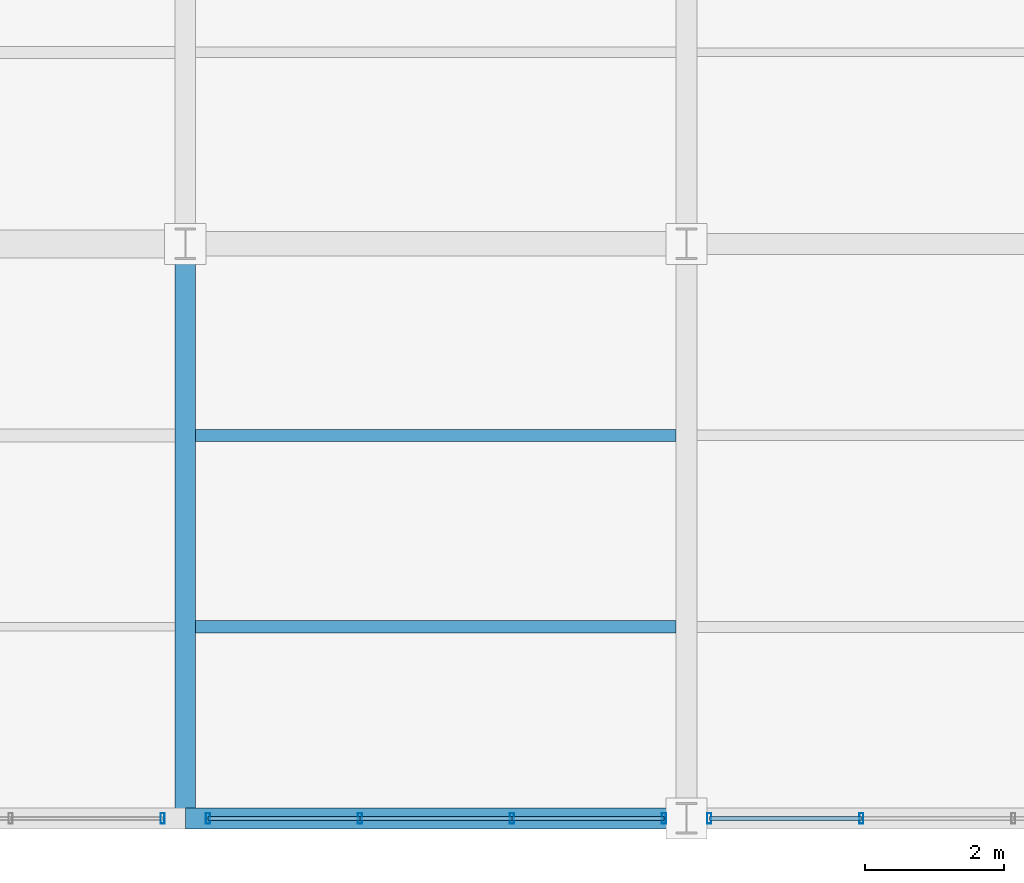
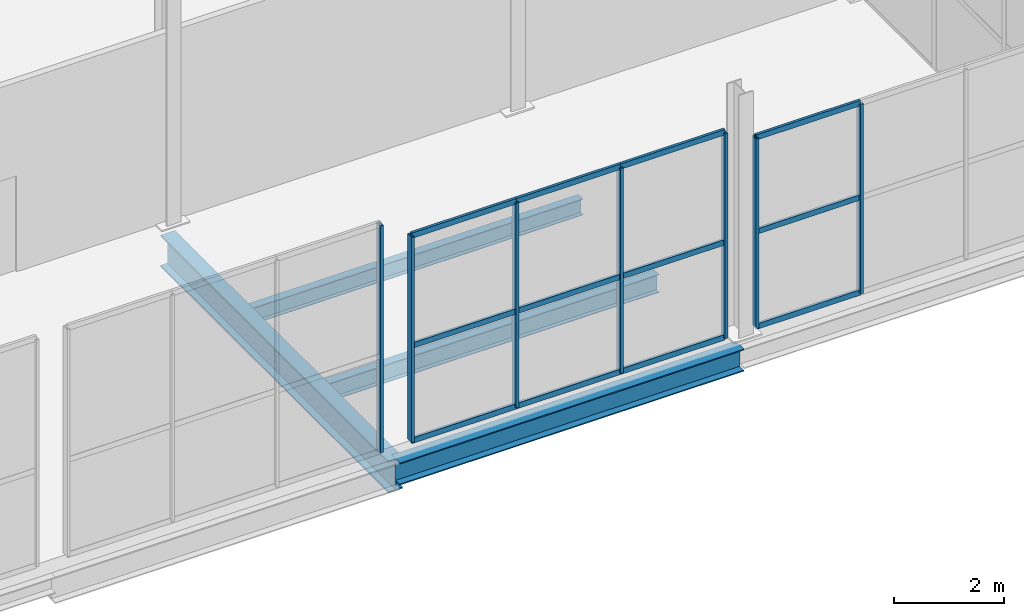
# One storey, part 79 of 147: 19 members, 4 beams, 3 elements without a shape of their own.
"""IFC4 building model written with IfcOpenShell, lengths in metres."""

from ifc_helpers import new_model, si_unit, direction, frame, origin, origin_2d, place, context, subcontext, project, spatial, hollow_rectangle, i_section, extrude, material, layer, layer_set, material_profile, profile_set, type_object, element, aggregate, save


model = new_model("IFC4")

# Units and contexts
model_context = context("Model", 3, precision=1e-05, world=origin(), true_north=direction((0.0, 1.0)))
body_context = subcontext(model_context, "Body", "Model", "MODEL_VIEW")
ifc_project = project(units=[si_unit("LENGTHUNIT", "METRE"), si_unit("AREAUNIT", "SQUARE_METRE"), si_unit("VOLUMEUNIT", "CUBIC_METRE"), si_unit("PLANEANGLEUNIT", "RADIAN"), si_unit("MASSUNIT", "GRAM", prefix="KILO")], contexts=[model_context])

# Site, building, storey
site_placement = place(None, origin())
site = spatial("IfcSite", under=ifc_project, at=site_placement, CompositionType="ELEMENT")
building_placement = place(site_placement, origin())
building = spatial("IfcBuilding", under=site, at=building_placement, Name="Sundgate Opera House", CompositionType="ELEMENT")
storey_placement = place(building_placement, frame((0.0, 0.0, 6.0)))
storey = spatial("IfcBuildingStorey", under=building, at=storey_placement, Name="L01", CompositionType="ELEMENT", Elevation=6.0)

# Beams
ifc_material_1 = material(Name="Steel S355J2", Category="steel")
ifc_material_profile_1 = material_profile(ifc_material_1, i_section(OverallWidth=0.300048828125, OverallDepth=0.489990234375, WebThickness=0.011962890625, FlangeThickness=0.02294921875, at=origin_2d()), Name="HEA 500")
ifc_profile_set_1 = profile_set([ifc_material_profile_1], Name="Steel S355J2")
beam_type_1 = type_object("IfcBeamType", Name="BM-GR-HEA500", PredefinedType="BEAM", material=ifc_profile_set_1)
beam_1_placement = place(storey_placement, frame((145.800048828125, 0.0, -0.544921875), z_axis=(1.0, 0.0, 0.0), x_axis=(0.0, 1.0, 0.0)))
element("IfcBeam", 1, at=beam_1_placement, inside=storey, type_object=beam_type_1, Name="L01 Primary E-W Girder B1279", PredefinedType="BEAM", context=body_context, shape_type="SweptSolid", body=[
    extrude(i_section(OverallWidth=0.300048828125, OverallDepth=0.489990234375, WebThickness=0.011962890625, FlangeThickness=0.02294921875, at=origin_2d()), origin(), (0.0, 0.0, 1.0), 7.199951171875),
])
ifc_material_2 = material(Name="Steel S355J2", Category="steel")
ifc_material_profile_2 = material_profile(ifc_material_2, i_section(OverallWidth=0.300048828125, OverallDepth=0.699951171875, WebThickness=0.01708984375, FlangeThickness=0.031982421875, at=origin_2d()), Name="HEB 700")
ifc_profile_set_2 = profile_set([ifc_material_profile_2], Name="Steel S355J2")
beam_type_2 = type_object("IfcBeamType", Name="BM-GR-HEB700", PredefinedType="BEAM", material=ifc_profile_set_2)
beam_2_placement = place(storey_placement, frame((145.800048828125, 0.0, -0.64990234375), z_axis=(0.0, 1.0, 0.0), x_axis=(-1.0, 0.0, 0.0)))
element("IfcBeam", 2, at=beam_2_placement, inside=storey, type_object=beam_type_2, Name="L01 Primary N-S Girder B1226", PredefinedType="BEAM", context=body_context, shape_type="SweptSolid", body=[
    extrude(i_section(OverallWidth=0.300048828125, OverallDepth=0.699951171875, WebThickness=0.01708984375, FlangeThickness=0.031982421875, at=origin_2d()), origin(), (0.0, 0.0, 1.0), 8.25),
])
ifc_material_3 = material(Name="Steel S355J2", Category="steel")
ifc_material_profile_3 = material_profile(ifc_material_3, i_section(OverallWidth=0.169921875, OverallDepth=0.360107421875, WebThickness=0.008056640625, FlangeThickness=0.0126953125, at=origin_2d()), Name="IPE 360")
ifc_profile_set_3 = profile_set([ifc_material_profile_3], Name="Steel S355J2")
beam_type_3 = type_object("IfcBeamType", Name="BM-JS-IPE360", PredefinedType="JOIST", material=ifc_profile_set_3)
beam_3_placement = place(storey_placement, frame((145.949951171875, 5.5, -0.47998046875), z_axis=(1.0, 0.0, 0.0), x_axis=(0.0, 1.0, 0.0)))
element("IfcBeam", 3, at=beam_3_placement, inside=storey, type_object=beam_type_3, Name="L01 Secondary Floor Joist B1493", PredefinedType="JOIST", context=body_context, shape_type="SweptSolid", body=[
    extrude(i_section(OverallWidth=0.169921875, OverallDepth=0.360107421875, WebThickness=0.008056640625, FlangeThickness=0.0126953125, at=origin_2d()), origin(), (0.0, 0.0, 1.0), 6.900146484375),
])
ifc_material_4 = material(Name="Steel S355J2", Category="steel")
ifc_material_profile_4 = material_profile(ifc_material_4, i_section(OverallWidth=0.179931640625, OverallDepth=0.39990234375, WebThickness=0.008544921875, FlangeThickness=0.013427734375, at=origin_2d()), Name="IPE 400")
ifc_profile_set_4 = profile_set([ifc_material_profile_4], Name="Steel S355J2")
beam_type_4 = type_object("IfcBeamType", Name="BM-JS-IPE400", PredefinedType="JOIST", material=ifc_profile_set_4)
beam_4_placement = place(storey_placement, frame((145.949951171875, 2.75, -0.5), z_axis=(1.0, 0.0, 0.0), x_axis=(0.0, 1.0, 0.0)))
element("IfcBeam", 4, at=beam_4_placement, inside=storey, type_object=beam_type_4, Name="L01 Secondary Floor Joist B1492", PredefinedType="JOIST", context=body_context, shape_type="SweptSolid", body=[
    extrude(i_section(OverallWidth=0.179931640625, OverallDepth=0.39990234375, WebThickness=0.008544921875, FlangeThickness=0.013427734375, at=origin_2d()), origin(), (0.0, 0.0, 1.0), 6.900146484375),
])

# Curtain wall, member
ifc_material_5 = material(Name="Anodized aluminium and low-iron glass", Category="aluminium")
ifc_layer = layer(ifc_material_5, 0.14990234375)
ifc_layer_set = layer_set([ifc_layer], Name="Anodized aluminium and low-iron glass")
curtain_wall_type = type_object("IfcCurtainWallType", Name="CW-WORKSHOP-DARK", PredefinedType="NOTDEFINED", material=ifc_layer_set)
curtain_wall_1_placement = place(storey_placement, origin())
curtain_wall_1 = element("IfcCurtainWall", 5, at=curtain_wall_1_placement, inside=storey, type_object=curtain_wall_type, Name="L01 Curtain Wall CW141", PredefinedType="NOTDEFINED")
ifc_material_6 = material(Name="Anodized aluminium EN AW-6063", Category="aluminium")
ifc_material_profile_5 = material_profile(ifc_material_6, hollow_rectangle(XDim=0.06005859375, YDim=0.14990234375, WallThickness=0.00390625, at=origin_2d()), Name="CWM 150x60x4")
ifc_profile_set_5 = profile_set([ifc_material_profile_5], Name="Anodized aluminium EN AW-6063")
member_type_1 = type_object("IfcMemberType", Name="CWM-ALU-150x60", PredefinedType="MULLION", material=ifc_profile_set_5)
member_1_placement = place(storey_placement, frame((145.47509765625, 0.0, 0.0), z_axis=(0.0, 0.0, 1.0), x_axis=(1.0, 0.0, 0.0)))
member_1 = element("IfcMember", 6, at=member_1_placement, type_object=member_type_1, Name="CW141 Mullion 1", PredefinedType="MULLION", context=body_context, shape_type="SweptSolid", body=[
    extrude(hollow_rectangle(XDim=0.06005859375, YDim=0.14990234375, WallThickness=0.00390625, at=origin_2d()), origin(), (0.0, 0.0, 1.0), 5.014892578125),
])
aggregate(curtain_wall_1, [member_1])

# Curtain wall, members
curtain_wall_2_placement = place(storey_placement, origin())
curtain_wall_2 = element("IfcCurtainWall", 7, at=curtain_wall_2_placement, inside=storey, type_object=curtain_wall_type, Name="L01 Curtain Wall CW142", PredefinedType="NOTDEFINED")
member_2_placement = place(storey_placement, frame((152.675048828125, 0.0, 0.0), z_axis=(0.0, 0.0, 1.0), x_axis=(1.0, 0.0, 0.0)))
member_2 = element("IfcMember", 8, at=member_2_placement, type_object=member_type_1, Name="CW142 Mullion 1", PredefinedType="MULLION", context=body_context, shape_type="SweptSolid", body=[
    extrude(hollow_rectangle(XDim=0.06005859375, YDim=0.14990234375, WallThickness=0.00390625, at=origin_2d()), origin(), (0.0, 0.0, 1.0), 4.534912109375),
])
member_3_placement = place(storey_placement, frame((150.49169921875, 0.0, 0.0), z_axis=(0.0, 0.0, 1.0), x_axis=(1.0, 0.0, 0.0)))
member_3 = element("IfcMember", 9, at=member_3_placement, type_object=member_type_1, Name="CW142 Mullion 2", PredefinedType="MULLION", context=body_context, shape_type="SweptSolid", body=[
    extrude(hollow_rectangle(XDim=0.06005859375, YDim=0.14990234375, WallThickness=0.00390625, at=origin_2d()), origin(), (0.0, 0.0, 1.0), 4.534912109375),
])
member_4_placement = place(storey_placement, frame((148.308349609375, 0.0, 0.0), z_axis=(0.0, 0.0, 1.0), x_axis=(1.0, 0.0, 0.0)))
member_4 = element("IfcMember", 10, at=member_4_placement, type_object=member_type_1, Name="CW142 Mullion 3", PredefinedType="MULLION", context=body_context, shape_type="SweptSolid", body=[
    extrude(hollow_rectangle(XDim=0.06005859375, YDim=0.14990234375, WallThickness=0.00390625, at=origin_2d()), origin(), (0.0, 0.0, 1.0), 4.534912109375),
])
member_5_placement = place(storey_placement, frame((146.125, 0.0, 0.0), z_axis=(0.0, 0.0, 1.0), x_axis=(1.0, 0.0, 0.0)))
member_5 = element("IfcMember", 11, at=member_5_placement, type_object=member_type_1, Name="CW142 Mullion 4", PredefinedType="MULLION", context=body_context, shape_type="SweptSolid", body=[
    extrude(hollow_rectangle(XDim=0.06005859375, YDim=0.14990234375, WallThickness=0.00390625, at=origin_2d()), origin(), (0.0, 0.0, 1.0), 4.534912109375),
])

curtain_wall_3_placement = place(storey_placement, origin())
curtain_wall_3 = element("IfcCurtainWall", 12, at=curtain_wall_3_placement, inside=storey, type_object=curtain_wall_type, Name="L01 Curtain Wall CW143", PredefinedType="NOTDEFINED")
member_6_placement = place(storey_placement, frame((155.50830078125, 0.0, 0.0), z_axis=(0.0, 0.0, 1.0), x_axis=(1.0, 0.0, 0.0)))
member_6 = element("IfcMember", 13, at=member_6_placement, type_object=member_type_1, Name="CW143 Mullion 3", PredefinedType="MULLION", context=body_context, shape_type="SweptSolid", body=[
    extrude(hollow_rectangle(XDim=0.06005859375, YDim=0.14990234375, WallThickness=0.00390625, at=origin_2d()), origin(), (0.0, 0.0, 1.0), 4.18505859375),
])
member_7_placement = place(storey_placement, frame((153.324951171875, 0.0, 0.0), z_axis=(0.0, 0.0, 1.0), x_axis=(1.0, 0.0, 0.0)))
member_7 = element("IfcMember", 14, at=member_7_placement, type_object=member_type_1, Name="CW143 Mullion 4", PredefinedType="MULLION", context=body_context, shape_type="SweptSolid", body=[
    extrude(hollow_rectangle(XDim=0.06005859375, YDim=0.14990234375, WallThickness=0.00390625, at=origin_2d()), origin(), (0.0, 0.0, 1.0), 4.18505859375),
])

# Member
ifc_material_7 = material(Name="Anodized aluminium EN AW-6063", Category="aluminium")
ifc_material_profile_6 = material_profile(ifc_material_7, hollow_rectangle(XDim=0.054931640625, YDim=0.1201171875, WallThickness=0.00390625, at=origin_2d()), Name="CWT 120x55x4")
ifc_profile_set_6 = profile_set([ifc_material_profile_6], Name="Anodized aluminium EN AW-6063")
member_type_2 = type_object("IfcMemberType", Name="CWT-ALU-120x55", PredefinedType="USERDEFINED", material=ifc_profile_set_6)
member_8_placement = place(storey_placement, frame((152.675048828125, 0.0, 0.0), z_axis=(-1.0, 0.0, 0.0), x_axis=(0.0, -1.0, 0.0)))
member_8 = element("IfcMember", 15, at=member_8_placement, type_object=member_type_2, Name="CW142 Transom 1", ObjectType="TRANSOM", PredefinedType="USERDEFINED", context=body_context, shape_type="SweptSolid", body=[
    extrude(hollow_rectangle(XDim=0.054931640625, YDim=0.1201171875, WallThickness=0.00390625, at=origin_2d()), origin(), (0.0, 0.0, 1.0), 2.183349609375),
])

member_9_placement = place(storey_placement, frame((152.675048828125, 0.0, 2.10009765625), z_axis=(-1.0, 0.0, 0.0), x_axis=(0.0, -1.0, 0.0)))
member_9 = element("IfcMember", 16, at=member_9_placement, type_object=member_type_2, Name="CW142 Transom 2", ObjectType="TRANSOM", PredefinedType="USERDEFINED", context=body_context, shape_type="SweptSolid", body=[
    extrude(hollow_rectangle(XDim=0.054931640625, YDim=0.1201171875, WallThickness=0.00390625, at=origin_2d()), origin(), (0.0, 0.0, 1.0), 2.183349609375),
])

member_10_placement = place(storey_placement, frame((152.675048828125, 0.0, 4.534912109375), z_axis=(-1.0, 0.0, 0.0), x_axis=(0.0, -1.0, 0.0)))
member_10 = element("IfcMember", 17, at=member_10_placement, type_object=member_type_2, Name="CW142 Transom 3", ObjectType="TRANSOM", PredefinedType="USERDEFINED", context=body_context, shape_type="SweptSolid", body=[
    extrude(hollow_rectangle(XDim=0.054931640625, YDim=0.1201171875, WallThickness=0.00390625, at=origin_2d()), origin(), (0.0, 0.0, 1.0), 2.183349609375),
])

member_11_placement = place(storey_placement, frame((150.49169921875, 0.0, 0.0), z_axis=(-1.0, 0.0, 0.0), x_axis=(0.0, -1.0, 0.0)))
member_11 = element("IfcMember", 18, at=member_11_placement, type_object=member_type_2, Name="CW142 Transom 4", ObjectType="TRANSOM", PredefinedType="USERDEFINED", context=body_context, shape_type="SweptSolid", body=[
    extrude(hollow_rectangle(XDim=0.054931640625, YDim=0.1201171875, WallThickness=0.00390625, at=origin_2d()), origin(), (0.0, 0.0, 1.0), 2.183349609375),
])

member_12_placement = place(storey_placement, frame((150.49169921875, 0.0, 2.10009765625), z_axis=(-1.0, 0.0, 0.0), x_axis=(0.0, -1.0, 0.0)))
member_12 = element("IfcMember", 19, at=member_12_placement, type_object=member_type_2, Name="CW142 Transom 5", ObjectType="TRANSOM", PredefinedType="USERDEFINED", context=body_context, shape_type="SweptSolid", body=[
    extrude(hollow_rectangle(XDim=0.054931640625, YDim=0.1201171875, WallThickness=0.00390625, at=origin_2d()), origin(), (0.0, 0.0, 1.0), 2.183349609375),
])

member_13_placement = place(storey_placement, frame((150.49169921875, 0.0, 4.534912109375), z_axis=(-1.0, 0.0, 0.0), x_axis=(0.0, -1.0, 0.0)))
member_13 = element("IfcMember", 20, at=member_13_placement, type_object=member_type_2, Name="CW142 Transom 6", ObjectType="TRANSOM", PredefinedType="USERDEFINED", context=body_context, shape_type="SweptSolid", body=[
    extrude(hollow_rectangle(XDim=0.054931640625, YDim=0.1201171875, WallThickness=0.00390625, at=origin_2d()), origin(), (0.0, 0.0, 1.0), 2.183349609375),
])

member_14_placement = place(storey_placement, frame((148.308349609375, 0.0, 0.0), z_axis=(-1.0, 0.0, 0.0), x_axis=(0.0, -1.0, 0.0)))
member_14 = element("IfcMember", 21, at=member_14_placement, type_object=member_type_2, Name="CW142 Transom 7", ObjectType="TRANSOM", PredefinedType="USERDEFINED", context=body_context, shape_type="SweptSolid", body=[
    extrude(hollow_rectangle(XDim=0.054931640625, YDim=0.1201171875, WallThickness=0.00390625, at=origin_2d()), origin(), (0.0, 0.0, 1.0), 2.183349609375),
])

member_15_placement = place(storey_placement, frame((148.308349609375, 0.0, 2.10009765625), z_axis=(-1.0, 0.0, 0.0), x_axis=(0.0, -1.0, 0.0)))
member_15 = element("IfcMember", 22, at=member_15_placement, type_object=member_type_2, Name="CW142 Transom 8", ObjectType="TRANSOM", PredefinedType="USERDEFINED", context=body_context, shape_type="SweptSolid", body=[
    extrude(hollow_rectangle(XDim=0.054931640625, YDim=0.1201171875, WallThickness=0.00390625, at=origin_2d()), origin(), (0.0, 0.0, 1.0), 2.183349609375),
])

member_16_placement = place(storey_placement, frame((148.308349609375, 0.0, 4.534912109375), z_axis=(-1.0, 0.0, 0.0), x_axis=(0.0, -1.0, 0.0)))
member_16 = element("IfcMember", 23, at=member_16_placement, type_object=member_type_2, Name="CW142 Transom 9", ObjectType="TRANSOM", PredefinedType="USERDEFINED", context=body_context, shape_type="SweptSolid", body=[
    extrude(hollow_rectangle(XDim=0.054931640625, YDim=0.1201171875, WallThickness=0.00390625, at=origin_2d()), origin(), (0.0, 0.0, 1.0), 2.183349609375),
])

aggregate(curtain_wall_2, [member_2, member_3, member_4, member_5, member_8, member_9, member_10, member_11, member_12, member_13, member_14, member_15, member_16])

member_17_placement = place(storey_placement, frame((155.50830078125, 0.0, 0.0), z_axis=(-1.0, 0.0, 0.0), x_axis=(0.0, -1.0, 0.0)))
member_17 = element("IfcMember", 24, at=member_17_placement, type_object=member_type_2, Name="CW143 Transom 7", ObjectType="TRANSOM", PredefinedType="USERDEFINED", context=body_context, shape_type="SweptSolid", body=[
    extrude(hollow_rectangle(XDim=0.054931640625, YDim=0.1201171875, WallThickness=0.00390625, at=origin_2d()), origin(), (0.0, 0.0, 1.0), 2.183349609375),
])

member_18_placement = place(storey_placement, frame((155.50830078125, 0.0, 2.10009765625), z_axis=(-1.0, 0.0, 0.0), x_axis=(0.0, -1.0, 0.0)))
member_18 = element("IfcMember", 25, at=member_18_placement, type_object=member_type_2, Name="CW143 Transom 8", ObjectType="TRANSOM", PredefinedType="USERDEFINED", context=body_context, shape_type="SweptSolid", body=[
    extrude(hollow_rectangle(XDim=0.054931640625, YDim=0.1201171875, WallThickness=0.00390625, at=origin_2d()), origin(), (0.0, 0.0, 1.0), 2.183349609375),
])

member_19_placement = place(storey_placement, frame((155.50830078125, 0.0, 4.18505859375), z_axis=(-1.0, 0.0, 0.0), x_axis=(0.0, -1.0, 0.0)))
member_19 = element("IfcMember", 26, at=member_19_placement, type_object=member_type_2, Name="CW143 Transom 9", ObjectType="TRANSOM", PredefinedType="USERDEFINED", context=body_context, shape_type="SweptSolid", body=[
    extrude(hollow_rectangle(XDim=0.054931640625, YDim=0.1201171875, WallThickness=0.00390625, at=origin_2d()), origin(), (0.0, 0.0, 1.0), 2.183349609375),
])

aggregate(curtain_wall_3, [member_6, member_7, member_17, member_18, member_19])

save(model, "model.ifc")
